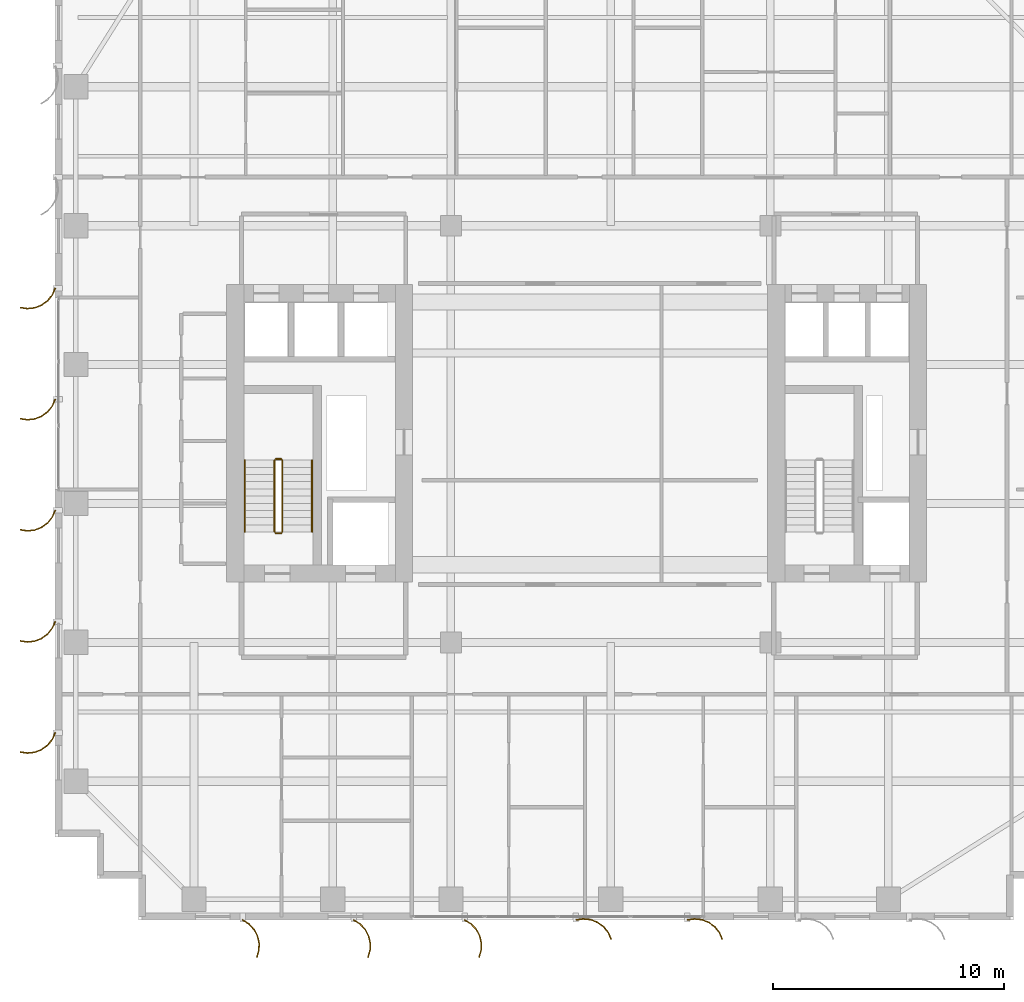
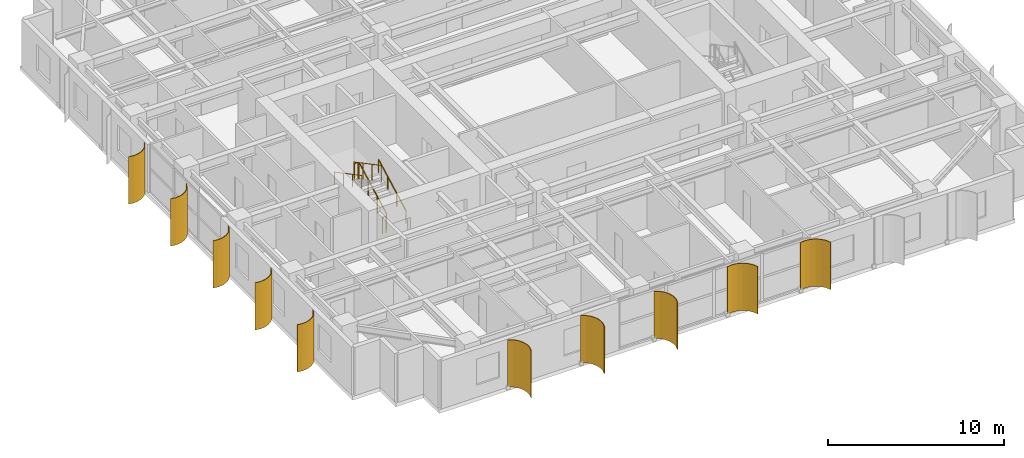
# One storey, part 17 of 19: 10 shading devices, 6 railings.
"""IFC4 building model written with IfcOpenShell, lengths in metres."""

from ifc_helpers import new_model, si_unit, direction, frame, origin, origin_2d, place, context, subcontext, project, spatial, polyline, circle, outline, extrude, source, transform, mapped, material, layer, layer_set, type_object, element, save


model = new_model("IFC4")

# Units and contexts
model_context = context("Model", 3, precision=1e-05, world=origin(), true_north=direction((0.0, 1.0)))
body_context = subcontext(model_context, "Body", "Model", "MODEL_VIEW")
ifc_project = project(units=[si_unit("LENGTHUNIT", "METRE"), si_unit("AREAUNIT", "SQUARE_METRE"), si_unit("VOLUMEUNIT", "CUBIC_METRE"), si_unit("PLANEANGLEUNIT", "RADIAN"), si_unit("MASSUNIT", "GRAM", prefix="KILO")], contexts=[model_context])

# Site, building, storey
site_placement = place(None, origin())
site = spatial("IfcSite", under=ifc_project, at=site_placement, CompositionType="ELEMENT")
building_placement = place(site_placement, origin())
building = spatial("IfcBuilding", under=site, at=building_placement, Name="Khoralis Quay Care Tower", CompositionType="ELEMENT")
storey_placement = place(building_placement, frame((0.0, 0.0, 90.89990234375)))
storey = spatial("IfcBuildingStorey", under=building, at=storey_placement, Name="L23", CompositionType="ELEMENT", Elevation=90.89990234375)

# Railings
ifc_material_1 = material(Name="Brushed stainless steel", Category="steel")
railing_type_1 = type_object("IfcRailingType", Name="RL-GUARD-1150", PredefinedType="GUARDRAIL", material=ifc_material_1)
railing_1_placement = place(storey_placement, frame((9.820068359375, 16.77001953125, 0.163818359375)))
element("IfcRailing", 1, at=railing_1_placement, inside=storey, type_object=railing_type_1, Name="L23 ST-T1 stair guard 1", PredefinedType="GUARDRAIL", context=body_context, shape_type="SweptSolid", body=[
    extrude(circle(Radius=0.02392578125, at=origin_2d()), frame((0.0, 0.0, 1.1259765625), z_axis=(0.0, 0.884376766648, 0.46677375099), x_axis=(-1.0, 0.0, 0.0)), (0.0, 0.0, 1.0), 3.50537109375),
    extrude(circle(Radius=0.02099609375, at=origin_2d()), origin(), (0.0, 0.0, 1.0), 1.101806640625),
    extrude(circle(Radius=0.02099609375, at=origin_2d()), frame((0.0, 1.033447265625, 0.54541015625)), (0.0, 0.0, 1.0), 1.101806640625),
    extrude(circle(Radius=0.02099609375, at=origin_2d()), frame((0.0, 2.066650390625, 1.0908203125)), (0.0, 0.0, 1.0), 1.101806640625),
    extrude(circle(Radius=0.02099609375, at=origin_2d()), frame((0.0, 3.10009765625, 1.63623046875)), (0.0, 0.0, 1.0), 1.101806640625),
])
railing_2_placement = place(storey_placement, frame((9.77001953125, 19.919921875, 1.800048828125)))
element("IfcRailing", 2, at=railing_2_placement, inside=storey, type_object=railing_type_1, Name="L23 ST-T1 stair guard 2", PredefinedType="GUARDRAIL", context=body_context, shape_type="SweptSolid", body=[
    extrude(circle(Radius=0.02392578125, at=origin_2d()), frame((0.0, 0.0, 1.1259765625), z_axis=(-1.0, 0.0, 0.0), x_axis=(0.0, -1.0, 0.0)), (0.0, 0.0, 1.0), 0.239990234375),
    extrude(circle(Radius=0.02099609375, at=origin_2d()), origin(), (0.0, 0.0, 1.0), 1.101806640625),
    extrude(circle(Radius=0.02099609375, at=origin_2d()), frame((-0.239990234375, 0.0, 0.0)), (0.0, 0.0, 1.0), 1.101806640625),
])
railing_3_placement = place(storey_placement, frame((9.47998046875, 19.8701171875, 1.963623046875)))
element("IfcRailing", 3, at=railing_3_placement, inside=storey, type_object=railing_type_1, Name="L23 ST-T1 stair guard 3", PredefinedType="GUARDRAIL", context=body_context, shape_type="SweptSolid", body=[
    extrude(circle(Radius=0.02392578125, at=origin_2d()), frame((0.0, 0.0, 1.1259765625), z_axis=(0.0, -0.884348015382, 0.466828220752), x_axis=(1.0, 0.0, 0.0)), (0.0, 0.0, 1.0), 3.505615234375),
    extrude(circle(Radius=0.02099609375, at=origin_2d()), origin(), (0.0, 0.0, 1.0), 1.101806640625),
    extrude(circle(Radius=0.02099609375, at=origin_2d()), frame((0.0, -1.033447265625, 0.54541015625)), (0.0, 0.0, 1.0), 1.101806640625),
    extrude(circle(Radius=0.02099609375, at=origin_2d()), frame((0.0, -2.066650390625, 1.091064453125)), (0.0, 0.0, 1.0), 1.101806640625),
    extrude(circle(Radius=0.02099609375, at=origin_2d()), frame((0.0, -3.10009765625, 1.636474609375)), (0.0, 0.0, 1.0), 1.101806640625),
])
railing_4_placement = place(storey_placement, frame((9.77001953125, 16.719970703125, 0.0)))
element("IfcRailing", 4, at=railing_4_placement, inside=storey, type_object=railing_type_1, Name="L23 ST-T1 stair guard 4", PredefinedType="GUARDRAIL", context=body_context, shape_type="SweptSolid", body=[
    extrude(circle(Radius=0.02392578125, at=origin_2d()), frame((0.0, 0.0, 1.1259765625), z_axis=(-1.0, 0.0, 0.0), x_axis=(0.0, -1.0, 0.0)), (0.0, 0.0, 1.0), 0.239990234375),
    extrude(circle(Radius=0.02099609375, at=origin_2d()), origin(), (0.0, 0.0, 1.0), 1.101806640625),
    extrude(circle(Radius=0.02099609375, at=origin_2d()), frame((-0.239990234375, 0.0, 0.0)), (0.0, 0.0, 1.0), 1.101806640625),
])
railing_type_2 = type_object("IfcRailingType", Name="RL-HAND-900", PredefinedType="HANDRAIL", material=ifc_material_1)
railing_5_placement = place(storey_placement, frame((11.10009765625, 16.77001953125, 0.163818359375)))
element("IfcRailing", 5, at=railing_5_placement, inside=storey, type_object=railing_type_2, Name="L23 ST-T1 stair handrail 1", PredefinedType="HANDRAIL", context=body_context, shape_type="SweptSolid", body=[
    extrude(circle(Radius=0.02392578125, at=origin_2d()), frame((0.0, 0.0, 0.8759765625), z_axis=(0.0, 0.884376766648, 0.46677375099), x_axis=(-1.0, 0.0, 0.0)), (0.0, 0.0, 1.0), 3.50537109375),
    extrude(circle(Radius=0.02099609375, at=origin_2d()), origin(), (0.0, 0.0, 1.0), 0.851806640625),
    extrude(circle(Radius=0.02099609375, at=origin_2d()), frame((0.0, 1.033447265625, 0.54541015625)), (0.0, 0.0, 1.0), 0.851806640625),
    extrude(circle(Radius=0.02099609375, at=origin_2d()), frame((0.0, 2.066650390625, 1.0908203125)), (0.0, 0.0, 1.0), 0.851806640625),
    extrude(circle(Radius=0.02099609375, at=origin_2d()), frame((0.0, 3.10009765625, 1.63623046875)), (0.0, 0.0, 1.0), 0.851806640625),
])
railing_6_placement = place(storey_placement, frame((8.199951171875, 19.8701171875, 1.963623046875)))
element("IfcRailing", 6, at=railing_6_placement, inside=storey, type_object=railing_type_2, Name="L23 ST-T1 stair handrail 2", PredefinedType="HANDRAIL", context=body_context, shape_type="SweptSolid", body=[
    extrude(circle(Radius=0.02392578125, at=origin_2d()), frame((0.0, 0.0, 0.8759765625), z_axis=(0.0, -0.884348015382, 0.466828220752), x_axis=(1.0, 0.0, 0.0)), (0.0, 0.0, 1.0), 3.505615234375),
    extrude(circle(Radius=0.02099609375, at=origin_2d()), origin(), (0.0, 0.0, 1.0), 0.851806640625),
    extrude(circle(Radius=0.02099609375, at=origin_2d()), frame((0.0, -1.033447265625, 0.54541015625)), (0.0, 0.0, 1.0), 0.851806640625),
    extrude(circle(Radius=0.02099609375, at=origin_2d()), frame((0.0, -2.066650390625, 1.091064453125)), (0.0, 0.0, 1.0), 0.851806640625),
    extrude(circle(Radius=0.02099609375, at=origin_2d()), frame((0.0, -3.10009765625, 1.636474609375)), (0.0, 0.0, 1.0), 0.851806640625),
])

# Shading devices
ifc_material_2 = material(Name="Brushed pale anodised aluminium", Category="aluminium")
ifc_layer = layer(ifc_material_2, 0.044921875)
ifc_layer_set = layer_set([ifc_layer], Name="Brushed pale anodised aluminium")
shading_device_type = type_object("IfcShadingDeviceType", Name="SHD-FIN-1250", PredefinedType="USERDEFINED", material=ifc_layer_set)
shared_shape_1 = source(origin(), body_context, "Body", "SweptSolid", [
    extrude(outline(polyline([(0.0, 0.0), (0.17041015625, 0.2783203125), (0.4072265625, 0.5029296875), (0.694091796875, 0.658447265625), (1.01123046875, 0.734619140625), (1.33740234375, 0.72607421875), (1.650390625, 0.633544921875), (1.632080078125, 0.59228515625), (1.330322265625, 0.681640625), (1.015869140625, 0.68994140625), (0.710205078125, 0.616455078125), (0.43359375, 0.466552734375), (0.20556640625, 0.25), (0.041015625, -0.018310546875), (0.0, 0.0)])), origin(), (0.0, 0.0, 1.0), 3.280029296875),
])
for number, where, z_axis, x_axis, name in (
    (7, (8.10009765625, 0.030029296875, 0.02001953125), (0.0, 0.0, 1.0), (0.0, -1.0, 0.0), "L23 Curved Solar Fin P1E0-01"),
    (8, (12.89990234375, 0.030029296875, 0.02001953125), (0.0, 0.0, 1.0), (0.0, -1.0, 0.0), "L23 Curved Solar Fin P1E0-02"),
    (9, (17.699951171875, 0.030029296875, 0.02001953125), (0.0, 0.0, 1.0), (0.0, -1.0, 0.0), "L23 Curved Solar Fin P1E0-03"),
):
    element("IfcShadingDevice", number, at=place(storey_placement, frame(where, z_axis=z_axis, x_axis=x_axis)), inside=storey, type_object=shading_device_type, Name=name, ObjectType="FIN", PredefinedType="USERDEFINED", context=body_context, shape_type="MappedRepresentation", body=[
        mapped(shared_shape_1, transform((0.0, 0.0, 0.0), scale=1.0)),
    ])
shared_shape_2 = source(origin(), body_context, "Body", "SweptSolid", [
    extrude(outline(polyline([(0.0, 0.0), (-0.04833984375, 0.32275390625), (-0.01123046875, 0.64697265625), (0.1083984375, 0.950439453125), (0.302490234375, 1.212890625), (0.557861328125, 1.416015625), (0.85693359375, 1.546142578125), (0.869384765625, 1.5029296875), (0.5810546875, 1.37744140625), (0.334716796875, 1.181640625), (0.147705078125, 0.9287109375), (0.032470703125, 0.635986328125), (-0.003173828125, 0.323486328125), (0.043212890625, 0.012451171875), (0.0, 0.0)])), origin(), (0.0, 0.0, 1.0), 3.280029296875),
])
for number, where, z_axis, x_axis, name in (
    (10, (22.5, 0.030029296875, 0.02001953125), (0.0, 0.0, 1.0), (0.0, -1.0, 0.0), "L23 Curved Solar Fin P1E0-04"),
    (11, (27.300048828125, 0.030029296875, 0.02001953125), (0.0, 0.0, 1.0), (0.0, -1.0, 0.0), "L23 Curved Solar Fin P1E0-05"),
):
    element("IfcShadingDevice", number, at=place(storey_placement, frame(where, z_axis=z_axis, x_axis=x_axis)), inside=storey, type_object=shading_device_type, Name=name, ObjectType="FIN", PredefinedType="USERDEFINED", context=body_context, shape_type="MappedRepresentation", body=[
        mapped(shared_shape_2, transform((0.0, 0.0, 0.0), scale=1.0)),
    ])
shared_shape_3 = source(origin(), body_context, "Body", "SweptSolid", [
    extrude(outline(polyline([(0.0, 0.0), (0.130126953125, 0.29931640625), (0.333251953125, 0.5546875), (0.595458984375, 0.748779296875), (0.899169921875, 0.868408203125), (1.223388671875, 0.9052734375), (1.546142578125, 0.85693359375), (1.53369140625, 0.813720703125), (1.22265625, 0.8603515625), (0.91015625, 0.82470703125), (0.617431640625, 0.70947265625), (0.364501953125, 0.522216796875), (0.168701171875, 0.276123046875), (0.043212890625, -0.012451171875), (0.0, 0.0)])), origin(), (0.0, 0.0, 1.0), 3.280029296875),
])
for number, where, z_axis, x_axis, name in (
    (12, (0.030029296875, 27.300048828125, 0.02001953125), (0.0, 0.0, 1.0), (-1.0, 0.0, 0.0), "L23 Curved Solar Fin P1E15-03"),
    (13, (0.030029296875, 22.5, 0.02001953125), (0.0, 0.0, 1.0), (-1.0, 0.0, 0.0), "L23 Curved Solar Fin P1E15-04"),
    (14, (0.030029296875, 17.699951171875, 0.02001953125), (0.0, 0.0, 1.0), (-1.0, 0.0, 0.0), "L23 Curved Solar Fin P1E15-05"),
    (15, (0.030029296875, 12.89990234375, 0.02001953125), (0.0, 0.0, 1.0), (-1.0, 0.0, 0.0), "L23 Curved Solar Fin P1E15-06"),
    (16, (0.030029296875, 8.10009765625, 0.02001953125), (0.0, 0.0, 1.0), (-1.0, 0.0, 0.0), "L23 Curved Solar Fin P1E15-07"),
):
    element("IfcShadingDevice", number, at=place(storey_placement, frame(where, z_axis=z_axis, x_axis=x_axis)), inside=storey, type_object=shading_device_type, Name=name, ObjectType="FIN", PredefinedType="USERDEFINED", context=body_context, shape_type="MappedRepresentation", body=[
        mapped(shared_shape_3, transform((0.0, 0.0, 0.0), scale=1.0)),
    ])

save(model, "model.ifc")
